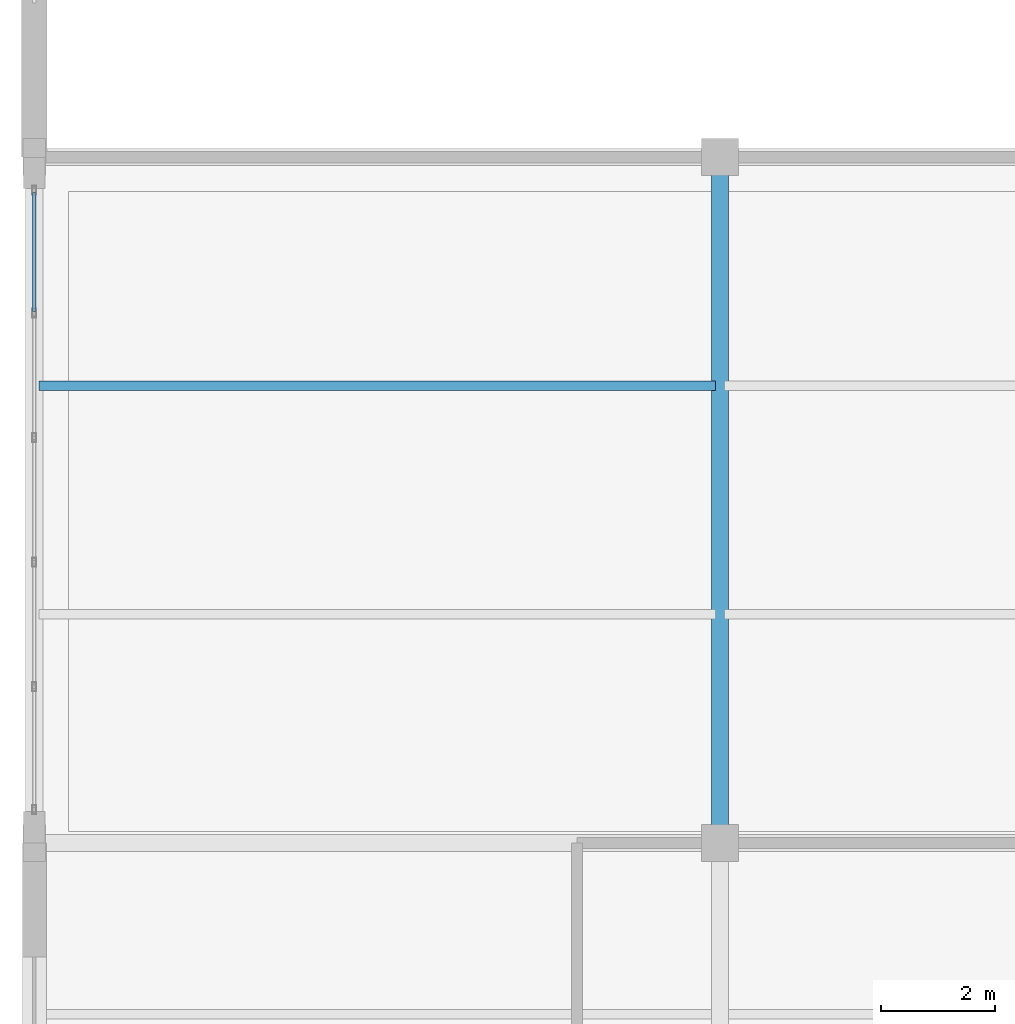
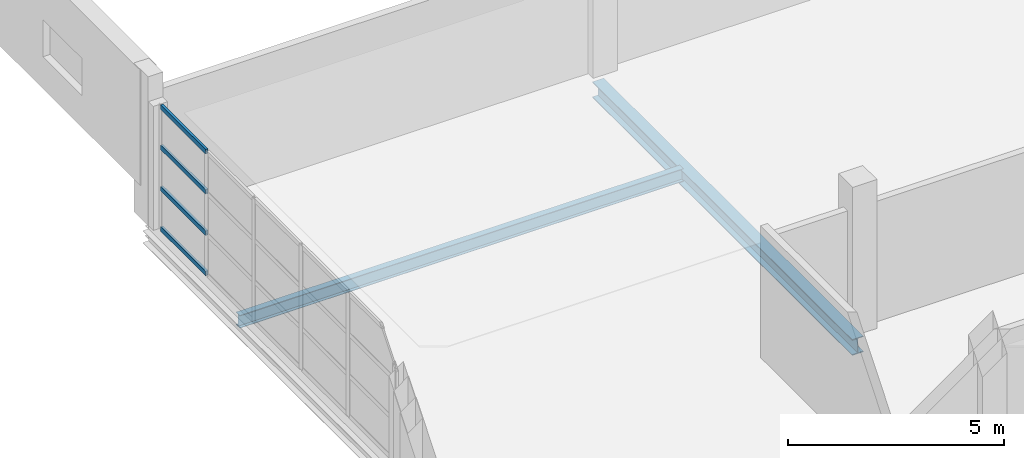
# One storey, part 116 of 158: 4 members, 2 beams, 1 element without a shape of its own.
"""IFC4 building model written with IfcOpenShell, lengths in metres."""

from ifc_helpers import new_model, si_unit, direction, frame, origin, origin_2d, place, context, subcontext, project, spatial, hollow_rectangle, i_section, extrude, material, layer, layer_set, material_profile, profile_set, type_object, element, aggregate, save


model = new_model("IFC4")

# Units and contexts
model_context = context("Model", 3, precision=1e-05, world=origin(), true_north=direction((0.0, 1.0)))
body_context = subcontext(model_context, "Body", "Model", "MODEL_VIEW")
ifc_project = project(units=[si_unit("LENGTHUNIT", "METRE"), si_unit("AREAUNIT", "SQUARE_METRE"), si_unit("VOLUMEUNIT", "CUBIC_METRE"), si_unit("PLANEANGLEUNIT", "RADIAN"), si_unit("MASSUNIT", "GRAM", prefix="KILO")], contexts=[model_context])

# Site, building, storey
site_placement = place(None, origin())
site = spatial("IfcSite", under=ifc_project, at=site_placement, CompositionType="ELEMENT")
building_placement = place(site_placement, origin())
building = spatial("IfcBuilding", under=site, at=building_placement, Name="Zilviju Railside Exhibition Hall", CompositionType="ELEMENT")
storey_placement = place(building_placement, frame((0.0, 0.0, 4.199951171875)))
storey = spatial("IfcBuildingStorey", under=building, at=storey_placement, Name="L02", CompositionType="ELEMENT", Elevation=4.199951171875)

# Beams
ifc_material_1 = material(Name="Steel S355J2", Category="steel")
ifc_material_profile_1 = material_profile(ifc_material_1, i_section(OverallWidth=0.300048828125, OverallDepth=0.449951171875, WebThickness=0.013916015625, FlangeThickness=0.02587890625, at=origin_2d()), Name="HEB 450")
ifc_profile_set_1 = profile_set([ifc_material_profile_1], Name="Steel S355J2")
beam_type_1 = type_object("IfcBeamType", Name="BM-HEB450", PredefinedType="BEAM", material=ifc_profile_set_1)
beam_1_placement = place(storey_placement, frame((12.0, 126.0, -0.574951171875), z_axis=(0.0, 1.0, 0.0), x_axis=(-1.0, 0.0, 0.0)))
element("IfcBeam", 1, at=beam_1_placement, inside=storey, type_object=beam_type_1, Name="Transverse Girder L02 X=12.0 (126.0..138.0)", PredefinedType="BEAM", context=body_context, shape_type="SweptSolid", body=[
    extrude(i_section(OverallWidth=0.300048828125, OverallDepth=0.449951171875, WebThickness=0.013916015625, FlangeThickness=0.02587890625, at=origin_2d()), origin(), (0.0, 0.0, 1.0), 12.0),
])
ifc_material_profile_2 = material_profile(ifc_material_1, i_section(OverallWidth=0.169921875, OverallDepth=0.360107421875, WebThickness=0.008056640625, FlangeThickness=0.0126953125, at=origin_2d()), Name="IPE 360")
ifc_profile_set_2 = profile_set([ifc_material_profile_2], Name="Steel S355J2")
beam_type_2 = type_object("IfcBeamType", Name="BM-IPE360", PredefinedType="JOIST", material=ifc_profile_set_2)
beam_2_placement = place(storey_placement, frame((0.080078125, 134.0, -0.530029296875), z_axis=(1.0, 0.0, 0.0), x_axis=(0.0, 1.0, 0.0)))
element("IfcBeam", 2, at=beam_2_placement, inside=storey, type_object=beam_type_2, Name="Composite Floor Joist L02 Y=134.00 (0.0..12.0)", PredefinedType="JOIST", context=body_context, shape_type="SweptSolid", body=[
    extrude(i_section(OverallWidth=0.169921875, OverallDepth=0.360107421875, WebThickness=0.008056640625, FlangeThickness=0.0126953125, at=origin_2d()), origin(), (0.0, 0.0, 1.0), 11.83984375),
])

# Curtain wall, members
ifc_material_2 = material(Name="Thermally broken aluminium-steel triple-glazed curtain wall", Category="steel")
ifc_layer = layer(ifc_material_2, 0.179931640625)
ifc_layer_set = layer_set([ifc_layer], Name="Thermally broken aluminium-steel triple-glazed curtain wall")
curtain_wall_type = type_object("IfcCurtainWallType", Name="CW-BAY-04", PredefinedType="USERDEFINED", material=ifc_layer_set)
curtain_wall_placement = place(storey_placement, origin())
curtain_wall = element("IfcCurtainWall", 3, at=curtain_wall_placement, inside=storey, type_object=curtain_wall_type, Name="Organisers Wing Jugendstils Erkeri Curtain Wall L02", ObjectType="GLAZED CURTAIN WALL", PredefinedType="USERDEFINED")
ifc_material_3 = material(Name="Thermally broken anodized aluminium transom", Category="aluminium")
ifc_material_profile_3 = material_profile(ifc_material_3, hollow_rectangle(XDim=0.06494140625, YDim=0.1298828125, WallThickness=0.0048828125, at=origin_2d()), Name="TRANSOM 130x65x5")
ifc_profile_set_3 = profile_set([ifc_material_profile_3], Name="Thermally broken anodized aluminium transom")
member_type = type_object("IfcMemberType", Name="CWT-65x130", PredefinedType="USERDEFINED", material=ifc_profile_set_3)
member_1_placement = place(storey_placement, frame((0.0, 135.302490234375, 0.032470703125), z_axis=(0.0, 1.0, 0.0), x_axis=(-1.0, 0.0, 0.0)))
member_1 = element("IfcMember", 4, at=member_1_placement, type_object=member_type, Name="CW-04 transom 5.1", ObjectType="TRANSOM", PredefinedType="USERDEFINED", context=body_context, shape_type="SweptSolid", body=[
    extrude(hollow_rectangle(XDim=0.06494140625, YDim=0.1298828125, WallThickness=0.0048828125, at=origin_2d()), origin(), (0.0, 0.0, 1.0), 2.08251953125),
])
member_2_placement = place(storey_placement, frame((0.0, 135.302490234375, 1.1669921875), z_axis=(0.0, 1.0, 0.0), x_axis=(-1.0, 0.0, 0.0)))
member_2 = element("IfcMember", 5, at=member_2_placement, type_object=member_type, Name="CW-04 transom 5.2", ObjectType="TRANSOM", PredefinedType="USERDEFINED", context=body_context, shape_type="SweptSolid", body=[
    extrude(hollow_rectangle(XDim=0.06494140625, YDim=0.1298828125, WallThickness=0.0048828125, at=origin_2d()), origin(), (0.0, 0.0, 1.0), 2.08251953125),
])
member_3_placement = place(storey_placement, frame((0.0, 135.302490234375, 2.3330078125), z_axis=(0.0, 1.0, 0.0), x_axis=(-1.0, 0.0, 0.0)))
member_3 = element("IfcMember", 6, at=member_3_placement, type_object=member_type, Name="CW-04 transom 5.3", ObjectType="TRANSOM", PredefinedType="USERDEFINED", context=body_context, shape_type="SweptSolid", body=[
    extrude(hollow_rectangle(XDim=0.06494140625, YDim=0.1298828125, WallThickness=0.0048828125, at=origin_2d()), origin(), (0.0, 0.0, 1.0), 2.08251953125),
])
member_4_placement = place(storey_placement, frame((0.0, 135.302490234375, 3.467529296875), z_axis=(0.0, 1.0, 0.0), x_axis=(-1.0, 0.0, 0.0)))
member_4 = element("IfcMember", 7, at=member_4_placement, type_object=member_type, Name="CW-04 transom 5.4", ObjectType="TRANSOM", PredefinedType="USERDEFINED", context=body_context, shape_type="SweptSolid", body=[
    extrude(hollow_rectangle(XDim=0.06494140625, YDim=0.1298828125, WallThickness=0.0048828125, at=origin_2d()), origin(), (0.0, 0.0, 1.0), 2.08251953125),
])
aggregate(curtain_wall, [member_1, member_2, member_3, member_4])

save(model, "model.ifc")
